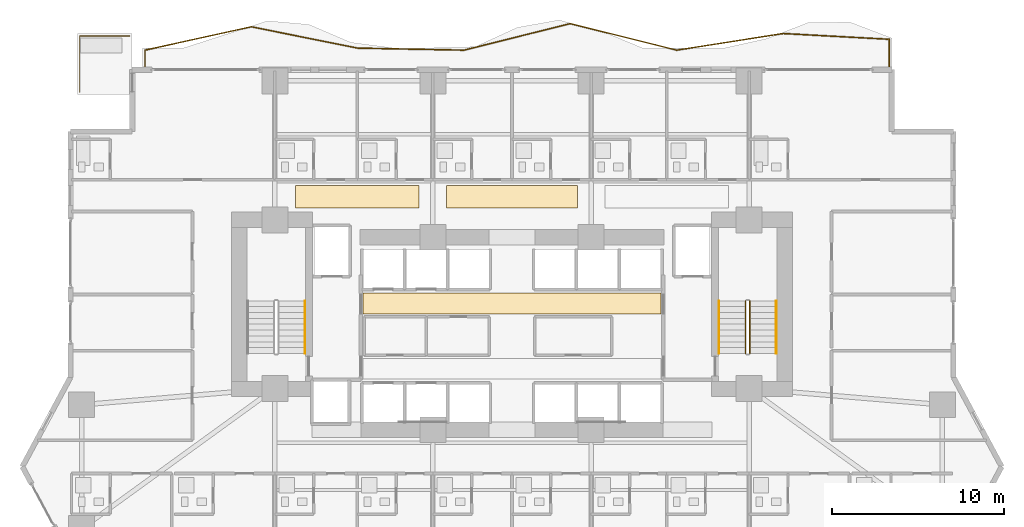
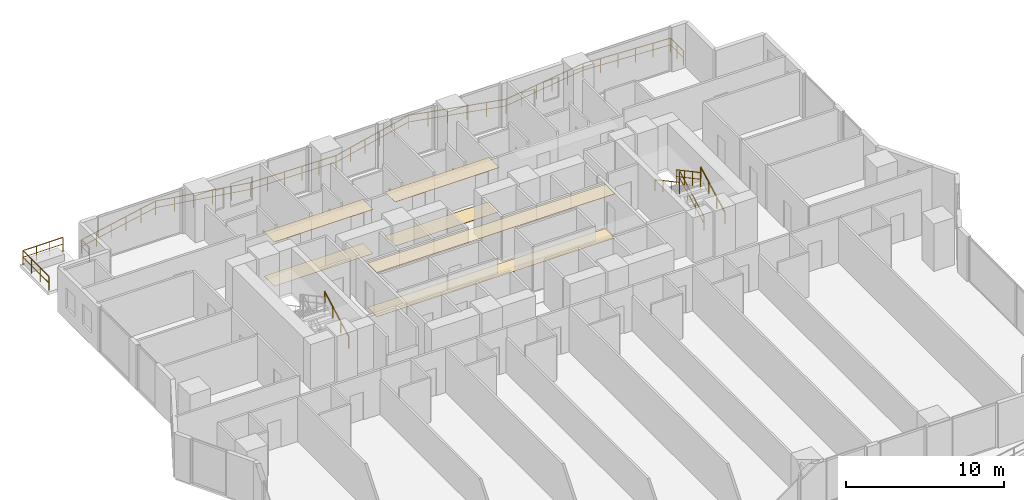
# One storey, part 27 of 29: 7 railings, 6 coverings.
"""IFC4 building model written with IfcOpenShell, lengths in metres."""

from ifc_helpers import new_model, si_unit, direction, frame, origin, origin_2d, place, context, subcontext, project, spatial, polyline, rectangle, outline, extrude, material, layer, layer_set, type_object, element, save


model = new_model("IFC4")

# Units and contexts
model_context = context("Model", 3, precision=1e-05, world=origin(), true_north=direction((0.0, 1.0)))
body_context = subcontext(model_context, "Body", "Model", "MODEL_VIEW")
ifc_project = project(units=[si_unit("LENGTHUNIT", "METRE"), si_unit("AREAUNIT", "SQUARE_METRE"), si_unit("VOLUMEUNIT", "CUBIC_METRE"), si_unit("PLANEANGLEUNIT", "RADIAN"), si_unit("MASSUNIT", "GRAM", prefix="KILO")], contexts=[model_context])

# Site, building, storey
site_placement = place(None, origin())
site = spatial("IfcSite", under=ifc_project, at=site_placement, CompositionType="ELEMENT")
building_placement = place(site_placement, origin())
building = spatial("IfcBuilding", under=site, at=building_placement, Name="Zuhayl Quay Hotel", CompositionType="ELEMENT")
storey_placement = place(building_placement, frame((0.0, 0.0, 64.10009765625)))
storey = spatial("IfcBuildingStorey", under=building, at=storey_placement, Name="L15", CompositionType="ELEMENT", Elevation=64.10009765625)

# Coverings
ifc_material_1 = material(Name="Acoustic Mineral-Fibre Gypsum Board")
ifc_layer_1 = layer(ifc_material_1, 0.02490234375, Name="Acoustic Mineral-Fibre Gypsum Board")
ifc_layer_set_1 = layer_set([ifc_layer_1], Name="Acoustic Mineral-Fibre Gypsum Board")
covering_type_1 = type_object("IfcCoveringType", Name="CV_CEIL_ACOUSTIC", PredefinedType="CEILING", material=ifc_layer_set_1)
covering_1_placement = place(storey_placement, frame((0.0, 0.0, 3.40478515625)))
element("IfcCovering", 1, at=covering_1_placement, inside=storey, type_object=covering_type_1, Name="L15 Suspended Acoustic Lobby Ceiling N", PredefinedType="CEILING", context=body_context, shape_type="SweptSolid", body=[
    extrude(outline(polyline([(-8.679931640625, 8.89990234375), (8.679931640625, 8.89990234375), (8.679931640625, 10.10009765625), (-8.679931640625, 10.10009765625), (-8.679931640625, 8.89990234375)])), origin(), (0.0, 0.0, 1.0), 0.025146484375),
])
covering_2_placement = place(storey_placement, frame((0.0, 0.0, 3.40478515625)))
element("IfcCovering", 2, at=covering_2_placement, inside=storey, type_object=covering_type_1, Name="L15 Guest Corridor Acoustic Ceiling CW", PredefinedType="CEILING", context=body_context, shape_type="SweptSolid", body=[
    extrude(outline(polyline([(-12.60009765625, 15.050048828125), (-5.39990234375, 15.050048828125), (-5.39990234375, 16.35009765625), (-12.60009765625, 16.35009765625), (-12.60009765625, 15.050048828125)])), origin(), (0.0, 0.0, 1.0), 0.025146484375),
])
covering_3_placement = place(storey_placement, frame((0.0, 0.0, 3.40478515625)))
element("IfcCovering", 3, at=covering_3_placement, inside=storey, type_object=covering_type_1, Name="L15 Guest Corridor Acoustic Ceiling CC", PredefinedType="CEILING", context=body_context, shape_type="SweptSolid", body=[
    extrude(outline(polyline([(-3.800048828125, 15.050048828125), (3.800048828125, 15.050048828125), (3.800048828125, 16.35009765625), (-3.800048828125, 16.35009765625), (-3.800048828125, 15.050048828125)])), origin(), (0.0, 0.0, 1.0), 0.025146484375),
])
ifc_material_2 = material(Name="Polished Limestone Terrazzo", Category="masonry")
ifc_layer_2 = layer(ifc_material_2, 0.02001953125, Name="Polished Limestone Terrazzo", Category="masonry")
ifc_layer_set_2 = layer_set([ifc_layer_2], Name="Polished Limestone Terrazzo")
covering_type_2 = type_object("IfcCoveringType", Name="CV_FLOOR_TERRAZZO", PredefinedType="FLOORING", material=ifc_layer_set_2)
covering_4_placement = place(storey_placement, origin())
element("IfcCovering", 4, at=covering_4_placement, inside=storey, type_object=covering_type_2, Name="L15 Honed Limestone Terrazzo Lobby Flooring N", PredefinedType="FLOORING", context=body_context, shape_type="SweptSolid", body=[
    extrude(outline(polyline([(-8.679931640625, 8.89990234375), (8.679931640625, 8.89990234375), (8.679931640625, 10.10009765625), (-8.679931640625, 10.10009765625), (-8.679931640625, 8.89990234375)])), origin(), (0.0, 0.0, 1.0), 0.02001953125),
])
covering_5_placement = place(storey_placement, origin())
element("IfcCovering", 5, at=covering_5_placement, inside=storey, type_object=covering_type_2, Name="L15 Guest Corridor Terrazzo Runner CW", PredefinedType="FLOORING", context=body_context, shape_type="SweptSolid", body=[
    extrude(outline(polyline([(-12.60009765625, 15.050048828125), (-5.39990234375, 15.050048828125), (-5.39990234375, 16.35009765625), (-12.60009765625, 16.35009765625), (-12.60009765625, 15.050048828125)])), origin(), (0.0, 0.0, 1.0), 0.02001953125),
])
covering_6_placement = place(storey_placement, origin())
element("IfcCovering", 6, at=covering_6_placement, inside=storey, type_object=covering_type_2, Name="L15 Guest Corridor Terrazzo Runner CC", PredefinedType="FLOORING", context=body_context, shape_type="SweptSolid", body=[
    extrude(outline(polyline([(-3.800048828125, 15.050048828125), (3.800048828125, 15.050048828125), (3.800048828125, 16.35009765625), (-3.800048828125, 16.35009765625), (-3.800048828125, 15.050048828125)])), origin(), (0.0, 0.0, 1.0), 0.02001953125),
])

# Railings
ifc_material_3 = material(Name="Anodised Aluminium and Laminated Glass", Category="aluminium")
railing_type_1 = type_object("IfcRailingType", Name="RL_EXT_BAL_1100", PredefinedType="BALUSTRADE", material=ifc_material_3)
railing_1_placement = place(storey_placement, frame((-21.360107421875, 23.219970703125, 0.0)))
element("IfcRailing", 7, at=railing_1_placement, inside=storey, type_object=railing_type_1, Name="L15 Balcony and Terrace Guard GR_L15_BAL_N", PredefinedType="BALUSTRADE", context=body_context, shape_type="SweptSolid", body=[
    extrude(rectangle(XDim=0.048095703125, YDim=0.048095703125, at=origin_2d()), frame((0.0, 0.0, 1.09619140625), z_axis=(0.0, 1.0, 0.0), x_axis=(-1.0, 0.0, 0.0)), (0.0, 0.0, 1.0), 1.02001953125),
    extrude(rectangle(XDim=0.0361328125, YDim=0.0361328125, at=origin_2d()), frame((0.0, 0.0, 0.58251953125), z_axis=(0.0, 1.0, 0.0), x_axis=(-1.0, 0.0, 0.0)), (0.0, 0.0, 1.0), 1.02001953125),
    extrude(rectangle(XDim=0.048095703125, YDim=0.048095703125, at=origin_2d()), frame((0.0, 1.02001953125, 1.09619140625), z_axis=(0.976683097961, 0.214686110767, 0.0), x_axis=(-0.214686110767, 0.976683097961, 0.0)), (0.0, 0.0, 1.0), 6.33642578125),
    extrude(rectangle(XDim=0.0361328125, YDim=0.0361328125, at=origin_2d()), frame((0.0, 1.02001953125, 0.58251953125), z_axis=(0.976683097961, 0.214686110767, 0.0), x_axis=(-0.214686110767, 0.976683097961, 0.0)), (0.0, 0.0, 1.0), 6.33642578125),
    extrude(rectangle(XDim=0.048095703125, YDim=0.048095703125, at=origin_2d()), frame((6.188720703125, 2.38037109375, 1.09619140625), z_axis=(0.980436107703, -0.196837594765, 0.0), x_axis=(0.196837594765, 0.980436107703, 0.0)), (0.0, 0.0, 1.0), 6.31201171875),
    extrude(rectangle(XDim=0.0361328125, YDim=0.0361328125, at=origin_2d()), frame((6.188720703125, 2.38037109375, 0.58251953125), z_axis=(0.980436107703, -0.196837594765, 0.0), x_axis=(0.196837594765, 0.980436107703, 0.0)), (0.0, 0.0, 1.0), 6.31201171875),
    extrude(rectangle(XDim=0.048095703125, YDim=0.048095703125, at=origin_2d()), frame((12.377197265625, 1.137939453125, 1.09619140625), z_axis=(0.99981852184, -0.019050548189, 0.0), x_axis=(0.019050548189, 0.99981852184, 0.0)), (0.0, 0.0, 1.0), 6.18994140625),
    extrude(rectangle(XDim=0.0361328125, YDim=0.0361328125, at=origin_2d()), frame((12.377197265625, 1.137939453125, 0.58251953125), z_axis=(0.99981852184, -0.019050548189, 0.0), x_axis=(0.019050548189, 0.99981852184, 0.0)), (0.0, 0.0, 1.0), 6.18994140625),
    extrude(rectangle(XDim=0.048095703125, YDim=0.048095703125, at=origin_2d()), frame((18.56591796875, 1.02001953125, 1.09619140625), z_axis=(0.970268460976, 0.242031224505, 0.0), x_axis=(-0.242031224505, 0.970268460976, 0.0)), (0.0, 0.0, 1.0), 6.378173828125),
    extrude(rectangle(XDim=0.0361328125, YDim=0.0361328125, at=origin_2d()), frame((18.56591796875, 1.02001953125, 0.58251953125), z_axis=(0.970268460976, 0.242031224505, 0.0), x_axis=(-0.242031224505, 0.970268460976, 0.0)), (0.0, 0.0, 1.0), 6.378173828125),
    extrude(rectangle(XDim=0.048095703125, YDim=0.048095703125, at=origin_2d()), frame((24.75439453125, 2.563720703125, 1.09619140625), z_axis=(0.970270703137, -0.242022235825, 0.0), x_axis=(0.242022235825, 0.970270703137, 0.0)), (0.0, 0.0, 1.0), 6.37841796875),
    extrude(rectangle(XDim=0.0361328125, YDim=0.0361328125, at=origin_2d()), frame((24.75439453125, 2.563720703125, 0.58251953125), z_axis=(0.970270703137, -0.242022235825, 0.0), x_axis=(0.242022235825, 0.970270703137, 0.0)), (0.0, 0.0, 1.0), 6.37841796875),
    extrude(rectangle(XDim=0.048095703125, YDim=0.048095703125, at=origin_2d()), frame((30.943115234375, 1.02001953125, 1.09619140625), z_axis=(0.987974105083, 0.154619428549, 0.0), x_axis=(-0.154619428549, 0.987974105083, 0.0)), (0.0, 0.0, 1.0), 6.263916015625),
    extrude(rectangle(XDim=0.0361328125, YDim=0.0361328125, at=origin_2d()), frame((30.943115234375, 1.02001953125, 0.58251953125), z_axis=(0.987974105083, 0.154619428549, 0.0), x_axis=(-0.154619428549, 0.987974105083, 0.0)), (0.0, 0.0, 1.0), 6.263916015625),
    extrude(rectangle(XDim=0.048095703125, YDim=0.048095703125, at=origin_2d()), frame((37.131591796875, 1.988525390625, 1.09619140625), z_axis=(0.998534113599, -0.05412600095, 0.0), x_axis=(0.05412600095, 0.998534113599, 0.0)), (0.0, 0.0, 1.0), 6.197509765625),
    extrude(rectangle(XDim=0.0361328125, YDim=0.0361328125, at=origin_2d()), frame((37.131591796875, 1.988525390625, 0.58251953125), z_axis=(0.998534113599, -0.05412600095, 0.0), x_axis=(0.05412600095, 0.998534113599, 0.0)), (0.0, 0.0, 1.0), 6.197509765625),
    extrude(rectangle(XDim=0.048095703125, YDim=0.048095703125, at=origin_2d()), frame((43.320068359375, 1.653076171875, 1.09619140625), z_axis=(0.0, -1.0, 0.0), x_axis=(1.0, 0.0, 0.0)), (0.0, 0.0, 1.0), 1.653076171875),
    extrude(rectangle(XDim=0.0361328125, YDim=0.0361328125, at=origin_2d()), frame((43.320068359375, 1.653076171875, 0.58251953125), z_axis=(0.0, -1.0, 0.0), x_axis=(1.0, 0.0, 0.0)), (0.0, 0.0, 1.0), 1.653076171875),
    extrude(rectangle(XDim=0.0419921875, YDim=0.0419921875, at=origin_2d()), origin(), (0.0, 0.0, 1.0), 1.072021484375),
    extrude(rectangle(XDim=0.0419921875, YDim=0.0419921875, at=origin_2d()), frame((0.0, 1.02001953125, 0.0)), (0.0, 0.0, 1.0), 1.072021484375),
    extrude(rectangle(XDim=0.0419921875, YDim=0.0419921875, at=origin_2d()), frame((1.23779296875, 1.2919921875, 0.0)), (0.0, 0.0, 1.0), 1.072021484375),
    extrude(rectangle(XDim=0.0419921875, YDim=0.0419921875, at=origin_2d()), frame((2.4755859375, 1.564208984375, 0.0)), (0.0, 0.0, 1.0), 1.072021484375),
    extrude(rectangle(XDim=0.0419921875, YDim=0.0419921875, at=origin_2d()), frame((3.713134765625, 1.836181640625, 0.0)), (0.0, 0.0, 1.0), 1.072021484375),
    extrude(rectangle(XDim=0.0419921875, YDim=0.0419921875, at=origin_2d()), frame((4.950927734375, 2.1083984375, 0.0)), (0.0, 0.0, 1.0), 1.072021484375),
    extrude(rectangle(XDim=0.0419921875, YDim=0.0419921875, at=origin_2d()), frame((6.188720703125, 2.38037109375, 0.0)), (0.0, 0.0, 1.0), 1.072021484375),
    extrude(rectangle(XDim=0.0419921875, YDim=0.0419921875, at=origin_2d()), frame((7.426513671875, 2.1318359375, 0.0)), (0.0, 0.0, 1.0), 1.072021484375),
    extrude(rectangle(XDim=0.0419921875, YDim=0.0419921875, at=origin_2d()), frame((8.6640625, 1.88330078125, 0.0)), (0.0, 0.0, 1.0), 1.072021484375),
    extrude(rectangle(XDim=0.0419921875, YDim=0.0419921875, at=origin_2d()), frame((9.90185546875, 1.635009765625, 0.0)), (0.0, 0.0, 1.0), 1.072021484375),
    extrude(rectangle(XDim=0.0419921875, YDim=0.0419921875, at=origin_2d()), frame((11.139404296875, 1.386474609375, 0.0)), (0.0, 0.0, 1.0), 1.072021484375),
    extrude(rectangle(XDim=0.0419921875, YDim=0.0419921875, at=origin_2d()), frame((12.377197265625, 1.137939453125, 0.0)), (0.0, 0.0, 1.0), 1.072021484375),
    extrude(rectangle(XDim=0.0419921875, YDim=0.0419921875, at=origin_2d()), frame((13.614990234375, 1.1142578125, 0.0)), (0.0, 0.0, 1.0), 1.072021484375),
    extrude(rectangle(XDim=0.0419921875, YDim=0.0419921875, at=origin_2d()), frame((14.852783203125, 1.0908203125, 0.0)), (0.0, 0.0, 1.0), 1.072021484375),
    extrude(rectangle(XDim=0.0419921875, YDim=0.0419921875, at=origin_2d()), frame((16.09033203125, 1.067138671875, 0.0)), (0.0, 0.0, 1.0), 1.072021484375),
    extrude(rectangle(XDim=0.0419921875, YDim=0.0419921875, at=origin_2d()), frame((17.328125, 1.043701171875, 0.0)), (0.0, 0.0, 1.0), 1.072021484375),
    extrude(rectangle(XDim=0.0419921875, YDim=0.0419921875, at=origin_2d()), frame((18.56591796875, 1.02001953125, 0.0)), (0.0, 0.0, 1.0), 1.072021484375),
    extrude(rectangle(XDim=0.0419921875, YDim=0.0419921875, at=origin_2d()), frame((19.8037109375, 1.328857421875, 0.0)), (0.0, 0.0, 1.0), 1.072021484375),
    extrude(rectangle(XDim=0.0419921875, YDim=0.0419921875, at=origin_2d()), frame((21.041259765625, 1.637451171875, 0.0)), (0.0, 0.0, 1.0), 1.072021484375),
    extrude(rectangle(XDim=0.0419921875, YDim=0.0419921875, at=origin_2d()), frame((22.279052734375, 1.9462890625, 0.0)), (0.0, 0.0, 1.0), 1.072021484375),
    extrude(rectangle(XDim=0.0419921875, YDim=0.0419921875, at=origin_2d()), frame((23.5166015625, 2.2548828125, 0.0)), (0.0, 0.0, 1.0), 1.072021484375),
    extrude(rectangle(XDim=0.0419921875, YDim=0.0419921875, at=origin_2d()), frame((24.75439453125, 2.563720703125, 0.0)), (0.0, 0.0, 1.0), 1.072021484375),
    extrude(rectangle(XDim=0.0419921875, YDim=0.0419921875, at=origin_2d()), frame((25.9921875, 2.2548828125, 0.0)), (0.0, 0.0, 1.0), 1.072021484375),
    extrude(rectangle(XDim=0.0419921875, YDim=0.0419921875, at=origin_2d()), frame((27.22998046875, 1.9462890625, 0.0)), (0.0, 0.0, 1.0), 1.072021484375),
    extrude(rectangle(XDim=0.0419921875, YDim=0.0419921875, at=origin_2d()), frame((28.467529296875, 1.637451171875, 0.0)), (0.0, 0.0, 1.0), 1.072021484375),
    extrude(rectangle(XDim=0.0419921875, YDim=0.0419921875, at=origin_2d()), frame((29.705322265625, 1.328857421875, 0.0)), (0.0, 0.0, 1.0), 1.072021484375),
    extrude(rectangle(XDim=0.0419921875, YDim=0.0419921875, at=origin_2d()), frame((30.943115234375, 1.02001953125, 0.0)), (0.0, 0.0, 1.0), 1.072021484375),
    extrude(rectangle(XDim=0.0419921875, YDim=0.0419921875, at=origin_2d()), frame((32.180908203125, 1.213623046875, 0.0)), (0.0, 0.0, 1.0), 1.072021484375),
    extrude(rectangle(XDim=0.0419921875, YDim=0.0419921875, at=origin_2d()), frame((33.41845703125, 1.407470703125, 0.0)), (0.0, 0.0, 1.0), 1.072021484375),
    extrude(rectangle(XDim=0.0419921875, YDim=0.0419921875, at=origin_2d()), frame((34.65625, 1.60107421875, 0.0)), (0.0, 0.0, 1.0), 1.072021484375),
    extrude(rectangle(XDim=0.0419921875, YDim=0.0419921875, at=origin_2d()), frame((35.893798828125, 1.794921875, 0.0)), (0.0, 0.0, 1.0), 1.072021484375),
    extrude(rectangle(XDim=0.0419921875, YDim=0.0419921875, at=origin_2d()), frame((37.131591796875, 1.988525390625, 0.0)), (0.0, 0.0, 1.0), 1.072021484375),
    extrude(rectangle(XDim=0.0419921875, YDim=0.0419921875, at=origin_2d()), frame((38.369384765625, 1.92138671875, 0.0)), (0.0, 0.0, 1.0), 1.072021484375),
    extrude(rectangle(XDim=0.0419921875, YDim=0.0419921875, at=origin_2d()), frame((39.60693359375, 1.854248046875, 0.0)), (0.0, 0.0, 1.0), 1.072021484375),
    extrude(rectangle(XDim=0.0419921875, YDim=0.0419921875, at=origin_2d()), frame((40.8447265625, 1.787353515625, 0.0)), (0.0, 0.0, 1.0), 1.072021484375),
    extrude(rectangle(XDim=0.0419921875, YDim=0.0419921875, at=origin_2d()), frame((42.082275390625, 1.72021484375, 0.0)), (0.0, 0.0, 1.0), 1.072021484375),
    extrude(rectangle(XDim=0.0419921875, YDim=0.0419921875, at=origin_2d()), frame((43.320068359375, 1.653076171875, 0.0)), (0.0, 0.0, 1.0), 1.072021484375),
    extrude(rectangle(XDim=0.0419921875, YDim=0.0419921875, at=origin_2d()), frame((43.320068359375, 0.82666015625, 0.0)), (0.0, 0.0, 1.0), 1.072021484375),
    extrude(rectangle(XDim=0.0419921875, YDim=0.0419921875, at=origin_2d()), frame((43.320068359375, 0.0, 0.0)), (0.0, 0.0, 1.0), 1.072021484375),
])
railing_2_placement = place(storey_placement, frame((-22.239990234375, 25.06005859375, 0.0)))
element("IfcRailing", 8, at=railing_2_placement, inside=storey, type_object=railing_type_1, Name="L15 Balcony and Terrace Guard GR_L15_SPIRAL_NW", PredefinedType="BALUSTRADE", context=body_context, shape_type="SweptSolid", body=[
    extrude(rectangle(XDim=0.048095703125, YDim=0.048095703125, at=origin_2d()), frame((0.0, 0.0, 1.09619140625), z_axis=(-1.0, 0.0, 0.0), x_axis=(0.0, -1.0, 0.0)), (0.0, 0.0, 1.0), 2.919921875),
    extrude(rectangle(XDim=0.0361328125, YDim=0.0361328125, at=origin_2d()), frame((0.0, 0.0, 0.58251953125), z_axis=(-1.0, 0.0, 0.0), x_axis=(0.0, -1.0, 0.0)), (0.0, 0.0, 1.0), 2.919921875),
    extrude(rectangle(XDim=0.048095703125, YDim=0.048095703125, at=origin_2d()), frame((-2.919921875, 0.0, 1.09619140625), z_axis=(0.0, -1.0, 0.0), x_axis=(1.0, 0.0, 0.0)), (0.0, 0.0, 1.0), 3.27001953125),
    extrude(rectangle(XDim=0.0361328125, YDim=0.0361328125, at=origin_2d()), frame((-2.919921875, 0.0, 0.58251953125), z_axis=(0.0, -1.0, 0.0), x_axis=(1.0, 0.0, 0.0)), (0.0, 0.0, 1.0), 3.27001953125),
    extrude(rectangle(XDim=0.0419921875, YDim=0.0419921875, at=origin_2d()), origin(), (0.0, 0.0, 1.0), 1.072021484375),
    extrude(rectangle(XDim=0.0419921875, YDim=0.0419921875, at=origin_2d()), frame((-0.973388671875, 0.0, 0.0)), (0.0, 0.0, 1.0), 1.072021484375),
    extrude(rectangle(XDim=0.0419921875, YDim=0.0419921875, at=origin_2d()), frame((-1.946533203125, 0.0, 0.0)), (0.0, 0.0, 1.0), 1.072021484375),
    extrude(rectangle(XDim=0.0419921875, YDim=0.0419921875, at=origin_2d()), frame((-2.919921875, 0.0, 0.0)), (0.0, 0.0, 1.0), 1.072021484375),
    extrude(rectangle(XDim=0.0419921875, YDim=0.0419921875, at=origin_2d()), frame((-2.919921875, -1.090087890625, 0.0)), (0.0, 0.0, 1.0), 1.072021484375),
    extrude(rectangle(XDim=0.0419921875, YDim=0.0419921875, at=origin_2d()), frame((-2.919921875, -2.179931640625, 0.0)), (0.0, 0.0, 1.0), 1.072021484375),
    extrude(rectangle(XDim=0.0419921875, YDim=0.0419921875, at=origin_2d()), frame((-2.919921875, -3.27001953125, 0.0)), (0.0, 0.0, 1.0), 1.072021484375),
])
ifc_material_4 = material(Name="Steel ASTM A992 Grade 50", Category="steel")
railing_type_2 = type_object("IfcRailingType", Name="RL_GUARD_1100", PredefinedType="GUARDRAIL", material=ifc_material_4)
railing_3_placement = place(storey_placement, frame((13.840087890625, 6.590087890625, 0.182373046875)))
element("IfcRailing", 9, at=railing_3_placement, inside=storey, type_object=railing_type_2, Name="L15 ST2 stair guard 1", PredefinedType="GUARDRAIL", context=body_context, shape_type="SweptSolid", body=[
    extrude(rectangle(XDim=0.048095703125, YDim=0.048095703125, at=origin_2d()), frame((0.0, 0.0, 1.09619140625), z_axis=(0.0, 0.88107310026, 0.472980117973), x_axis=(-1.0, 0.0, 0.0)), (0.0, 0.0, 1.0), 3.472900390625),
    extrude(rectangle(XDim=0.0361328125, YDim=0.0361328125, at=origin_2d()), frame((0.0, 0.0, 0.58251953125), z_axis=(0.0, 0.88107310026, 0.472980117973), x_axis=(-1.0, 0.0, 0.0)), (0.0, 0.0, 1.0), 3.472900390625),
    extrude(rectangle(XDim=0.0419921875, YDim=0.0419921875, at=origin_2d()), origin(), (0.0, 0.0, 1.0), 1.072021484375),
    extrude(rectangle(XDim=0.0419921875, YDim=0.0419921875, at=origin_2d()), frame((0.0, 1.02001953125, 0.547607421875)), (0.0, 0.0, 1.0), 1.072021484375),
    extrude(rectangle(XDim=0.0419921875, YDim=0.0419921875, at=origin_2d()), frame((0.0, 2.039794921875, 1.094970703125)), (0.0, 0.0, 1.0), 1.072021484375),
    extrude(rectangle(XDim=0.0419921875, YDim=0.0419921875, at=origin_2d()), frame((0.0, 3.059814453125, 1.642578125)), (0.0, 0.0, 1.0), 1.072021484375),
])
railing_4_placement = place(storey_placement, frame((13.590087890625, 9.64990234375, 2.00732421875)))
element("IfcRailing", 10, at=railing_4_placement, inside=storey, type_object=railing_type_2, Name="L15 ST2 stair guard 3", PredefinedType="GUARDRAIL", context=body_context, shape_type="SweptSolid", body=[
    extrude(rectangle(XDim=0.048095703125, YDim=0.048095703125, at=origin_2d()), frame((0.0, 0.0, 1.09619140625), z_axis=(0.0, -0.88107310026, 0.472980117973), x_axis=(1.0, 0.0, 0.0)), (0.0, 0.0, 1.0), 3.472900390625),
    extrude(rectangle(XDim=0.0361328125, YDim=0.0361328125, at=origin_2d()), frame((0.0, 0.0, 0.58251953125), z_axis=(0.0, -0.88107310026, 0.472980117973), x_axis=(1.0, 0.0, 0.0)), (0.0, 0.0, 1.0), 3.472900390625),
    extrude(rectangle(XDim=0.0419921875, YDim=0.0419921875, at=origin_2d()), origin(), (0.0, 0.0, 1.0), 1.072021484375),
    extrude(rectangle(XDim=0.0419921875, YDim=0.0419921875, at=origin_2d()), frame((0.0, -1.02001953125, 0.547607421875)), (0.0, 0.0, 1.0), 1.072021484375),
    extrude(rectangle(XDim=0.0419921875, YDim=0.0419921875, at=origin_2d()), frame((0.0, -2.039794921875, 1.094970703125)), (0.0, 0.0, 1.0), 1.072021484375),
    extrude(rectangle(XDim=0.0419921875, YDim=0.0419921875, at=origin_2d()), frame((0.0, -3.059814453125, 1.642578125)), (0.0, 0.0, 1.0), 1.072021484375),
])
railing_type_3 = type_object("IfcRailingType", Name="RL_HANDRAIL_920", PredefinedType="HANDRAIL", material=ifc_material_4)
for number, where, name in (
    (11, (-12.050048828125, 6.590087890625, 0.182373046875), "L15 ST1 stair handrail 1"),
    (12, (15.3798828125, 6.590087890625, 0.182373046875), "L15 ST2 stair handrail 1"),
):
    element("IfcRailing", number, at=place(storey_placement, frame(where)), inside=storey, type_object=railing_type_3, Name=name, PredefinedType="HANDRAIL", context=body_context, shape_type="SweptSolid", body=[
        extrude(rectangle(XDim=0.048095703125, YDim=0.048095703125, at=origin_2d()), frame((0.0, 0.0, 0.8759765625), z_axis=(0.0, 0.88107310026, 0.472980117973), x_axis=(-1.0, 0.0, 0.0)), (0.0, 0.0, 1.0), 3.472900390625),
        extrude(rectangle(XDim=0.0419921875, YDim=0.0419921875, at=origin_2d()), origin(), (0.0, 0.0, 1.0), 0.851806640625),
        extrude(rectangle(XDim=0.0419921875, YDim=0.0419921875, at=origin_2d()), frame((0.0, 1.02001953125, 0.547607421875)), (0.0, 0.0, 1.0), 0.851806640625),
        extrude(rectangle(XDim=0.0419921875, YDim=0.0419921875, at=origin_2d()), frame((0.0, 2.039794921875, 1.094970703125)), (0.0, 0.0, 1.0), 0.851806640625),
        extrude(rectangle(XDim=0.0419921875, YDim=0.0419921875, at=origin_2d()), frame((0.0, 3.059814453125, 1.642578125)), (0.0, 0.0, 1.0), 0.851806640625),
    ])
railing_5_placement = place(storey_placement, frame((12.050048828125, 9.64990234375, 2.00732421875)))
element("IfcRailing", 13, at=railing_5_placement, inside=storey, type_object=railing_type_3, Name="L15 ST2 stair handrail 2", PredefinedType="HANDRAIL", context=body_context, shape_type="SweptSolid", body=[
    extrude(rectangle(XDim=0.048095703125, YDim=0.048095703125, at=origin_2d()), frame((0.0, 0.0, 0.8759765625), z_axis=(0.0, -0.88107310026, 0.472980117973), x_axis=(1.0, 0.0, 0.0)), (0.0, 0.0, 1.0), 3.472900390625),
    extrude(rectangle(XDim=0.0419921875, YDim=0.0419921875, at=origin_2d()), origin(), (0.0, 0.0, 1.0), 0.851806640625),
    extrude(rectangle(XDim=0.0419921875, YDim=0.0419921875, at=origin_2d()), frame((0.0, -1.02001953125, 0.547607421875)), (0.0, 0.0, 1.0), 0.851806640625),
    extrude(rectangle(XDim=0.0419921875, YDim=0.0419921875, at=origin_2d()), frame((0.0, -2.039794921875, 1.094970703125)), (0.0, 0.0, 1.0), 0.851806640625),
    extrude(rectangle(XDim=0.0419921875, YDim=0.0419921875, at=origin_2d()), frame((0.0, -3.059814453125, 1.642578125)), (0.0, 0.0, 1.0), 0.851806640625),
])

save(model, "model.ifc")
